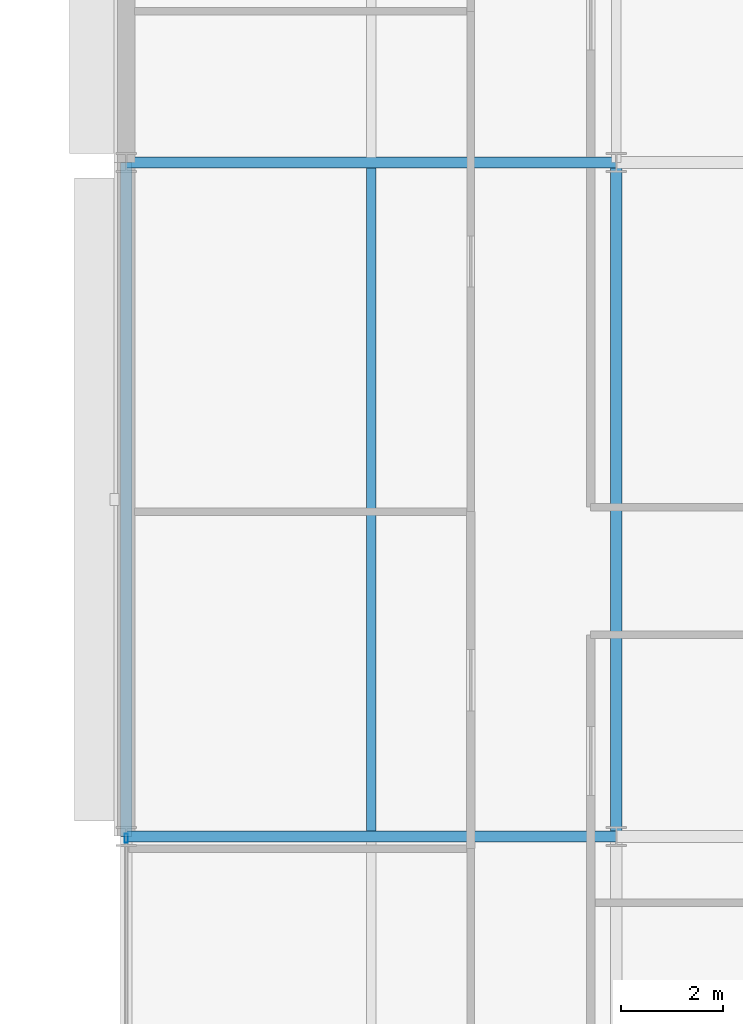
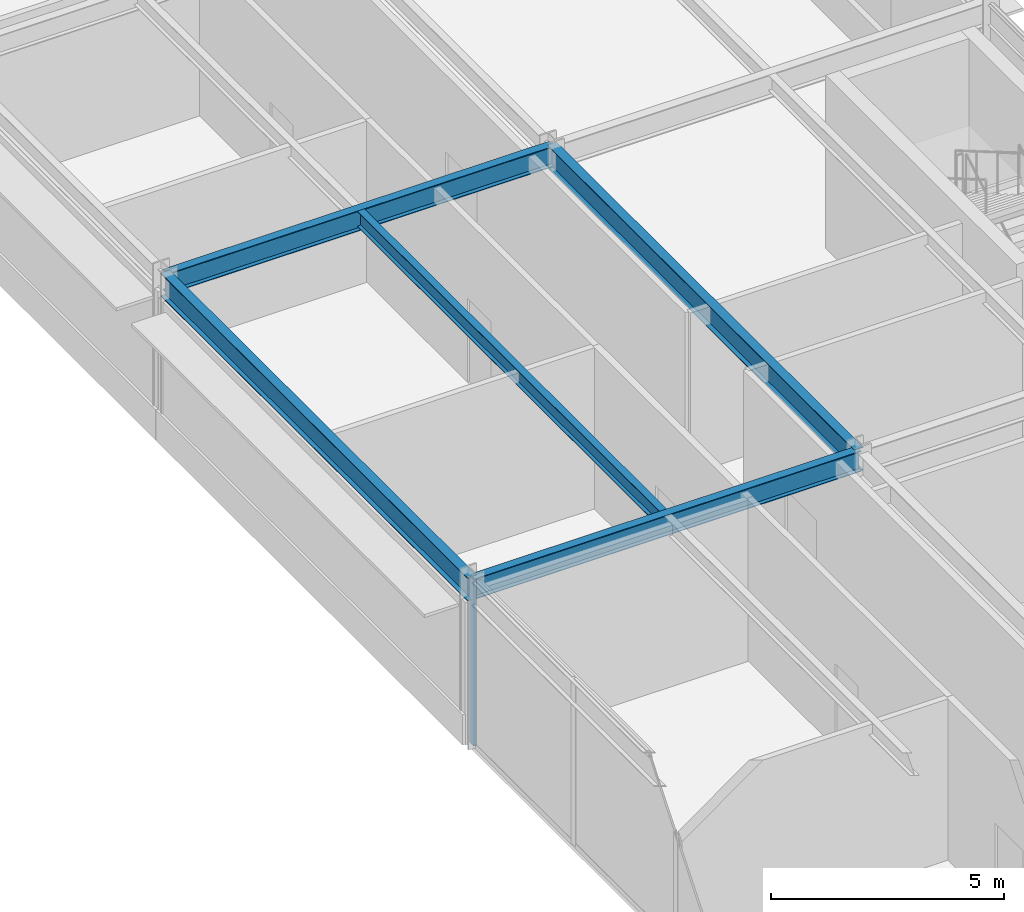
# One storey, part 102 of 157: 5 beams, 1 member, 1 element without a shape of its own.
"""IFC4 building model written with IfcOpenShell, lengths in metres."""

from ifc_helpers import new_model, si_unit, direction, frame, origin, origin_2d, place, context, subcontext, project, spatial, hollow_rectangle, i_section, extrude, material, material_profile, profile_set, type_object, element, aggregate, save


model = new_model("IFC4")

# Units and contexts
model_context = context("Model", 3, precision=1e-05, world=origin(), true_north=direction((0.0, 1.0)))
body_context = subcontext(model_context, "Body", "Model", "MODEL_VIEW")
ifc_project = project(units=[si_unit("LENGTHUNIT", "METRE"), si_unit("AREAUNIT", "SQUARE_METRE"), si_unit("VOLUMEUNIT", "CUBIC_METRE"), si_unit("PLANEANGLEUNIT", "RADIAN"), si_unit("MASSUNIT", "GRAM", prefix="KILO")], contexts=[model_context])

# Site, building, storey
site_placement = place(None, origin())
site = spatial("IfcSite", under=ifc_project, at=site_placement, CompositionType="ELEMENT")
building_placement = place(site_placement, origin())
building = spatial("IfcBuilding", under=site, at=building_placement, Name="Almandine Court Research Institute", CompositionType="ELEMENT")
storey_placement = place(building_placement, frame((0.0, 0.0, 5.25)))
storey = spatial("IfcBuildingStorey", under=building, at=storey_placement, Name="L01", CompositionType="ELEMENT", Elevation=5.25)

# Beams
ifc_material_1 = material(Name="Steel ASTM A992 Grade 50", Category="steel")
ifc_material_profile_1 = material_profile(ifc_material_1, i_section(OverallWidth=0.178955078125, OverallDepth=0.409912109375, WebThickness=0.009033203125, FlangeThickness=0.013916015625, at=origin_2d()), Name="W410x67")
ifc_profile_set_1 = profile_set([ifc_material_profile_1], Name="Steel ASTM A992 Grade 50")
beam_type_1 = type_object("IfcBeamType", Name="Beam-B-02", PredefinedType="JOIST", material=ifc_profile_set_1)
beam_placement = place(storey_placement, frame((158.39990234375, 70.903076171875, 4.1650390625), z_axis=(0.0, 1.0, 0.0), x_axis=(-1.0, 0.0, 0.0)))
element("IfcBeam", 1, at=beam_placement, inside=storey, type_object=beam_type_1, Name="L01 V4 Composite Secondary Beam", PredefinedType="JOIST", context=body_context, shape_type="SweptSolid", body=[
    extrude(i_section(OverallWidth=0.178955078125, OverallDepth=0.409912109375, WebThickness=0.009033203125, FlangeThickness=0.013916015625, at=origin_2d()), origin(), (0.0, 0.0, 1.0), 12.993896484375),
])
ifc_material_profile_2 = material_profile(ifc_material_1, i_section(OverallWidth=0.22802734375, OverallDepth=0.60791015625, WebThickness=0.010986328125, FlangeThickness=0.01708984375, at=origin_2d()), Name="W610x113")
ifc_profile_set_2 = profile_set([ifc_material_profile_2], Name="Steel ASTM A992 Grade 50")
beam_type_2 = type_object("IfcBeamType", Name="Beam-G-03", PredefinedType="BEAM", material=ifc_profile_set_2)
for number, where, z_axis, x_axis, name in (
    (2, (153.60009765625, 70.800048828125, 4.06591796875), (0.0, 1.0, 0.0), (-1.0, 0.0, 0.0), "L01 V4 Primary Y Girder"),
    (3, (163.199951171875, 70.800048828125, 4.06591796875), (0.0, 1.0, 0.0), (-1.0, 0.0, 0.0), "L01 V4 Primary Y Girder"),
):
    element("IfcBeam", number, at=place(storey_placement, frame(where, z_axis=z_axis, x_axis=x_axis)), inside=storey, type_object=beam_type_2, Name=name, PredefinedType="BEAM", context=body_context, shape_type="SweptSolid", body=[
        extrude(i_section(OverallWidth=0.22802734375, OverallDepth=0.60791015625, WebThickness=0.010986328125, FlangeThickness=0.01708984375, at=origin_2d()), origin(), (0.0, 0.0, 1.0), 13.199951171875),
    ])
ifc_material_profile_3 = material_profile(ifc_material_1, i_section(OverallWidth=0.2109375, OverallDepth=0.5390625, WebThickness=0.011962890625, FlangeThickness=0.01904296875, at=origin_2d()), Name="W530x109")
ifc_profile_set_3 = profile_set([ifc_material_profile_3], Name="Steel ASTM A992 Grade 50")
beam_type_3 = type_object("IfcBeamType", Name="Beam-G-04", PredefinedType="BEAM", material=ifc_profile_set_3)
for number, where, z_axis, x_axis, name in (
    (4, (153.60009765625, 70.800048828125, 4.10009765625), (1.0, 0.0, 0.0), (0.0, 1.0, 0.0), "L01 V4 Primary X Girder"),
    (5, (153.60009765625, 84.0, 4.10009765625), (1.0, 0.0, 0.0), (0.0, 1.0, 0.0), "L01 V4 Primary X Girder"),
):
    element("IfcBeam", number, at=place(storey_placement, frame(where, z_axis=z_axis, x_axis=x_axis)), inside=storey, type_object=beam_type_3, Name=name, PredefinedType="BEAM", context=body_context, shape_type="SweptSolid", body=[
        extrude(i_section(OverallWidth=0.2109375, OverallDepth=0.5390625, WebThickness=0.011962890625, FlangeThickness=0.01904296875, at=origin_2d()), origin(), (0.0, 0.0, 1.0), 9.599853515625),
    ])

# Curtain wall, member
ifc_material_2 = material(Name="Unitised Curtain Wall Framing and Solar Glazing", Category="glass")
curtain_wall_type = type_object("IfcCurtainWallType", Name="CW-CWJ-15", PredefinedType="USERDEFINED", material=ifc_material_2)
curtain_wall_placement = place(storey_placement, origin())
curtain_wall = element("IfcCurtainWall", 6, at=curtain_wall_placement, inside=storey, type_object=curtain_wall_type, Name="L01 Wet Lab West Courtyard Jali Curtain Wall 6", ObjectType="SOLAR JALI SCREEN", PredefinedType="USERDEFINED")
ifc_material_3 = material(Name="Anodised Aluminium AW-6063-T6", Category="aluminium")
ifc_material_profile_4 = material_profile(ifc_material_3, hollow_rectangle(XDim=0.06494140625, YDim=0.179931640625, WallThickness=0.00390625, at=origin_2d()), Name="ALU RHS 65x180x4")
ifc_profile_set_4 = profile_set([ifc_material_profile_4], Name="Anodised Aluminium AW-6063-T6")
member_type = type_object("IfcMemberType", Name="CWMul-65x180", PredefinedType="MULLION", material=ifc_profile_set_4)
member_placement = place(storey_placement, frame((153.60009765625, 70.763427734375, 0.0), z_axis=(0.0, 0.0, 1.0), x_axis=(-1.0, 0.0, 0.0)))
member = element("IfcMember", 7, at=member_placement, type_object=member_type, Name="CWJ-15 mullion 4", PredefinedType="MULLION", context=body_context, shape_type="SweptSolid", body=[
    extrude(hollow_rectangle(XDim=0.06494140625, YDim=0.179931640625, WallThickness=0.00390625, at=origin_2d()), origin(), (0.0, 0.0, 1.0), 4.3701171875),
])
aggregate(curtain_wall, [member])

save(model, "model.ifc")
